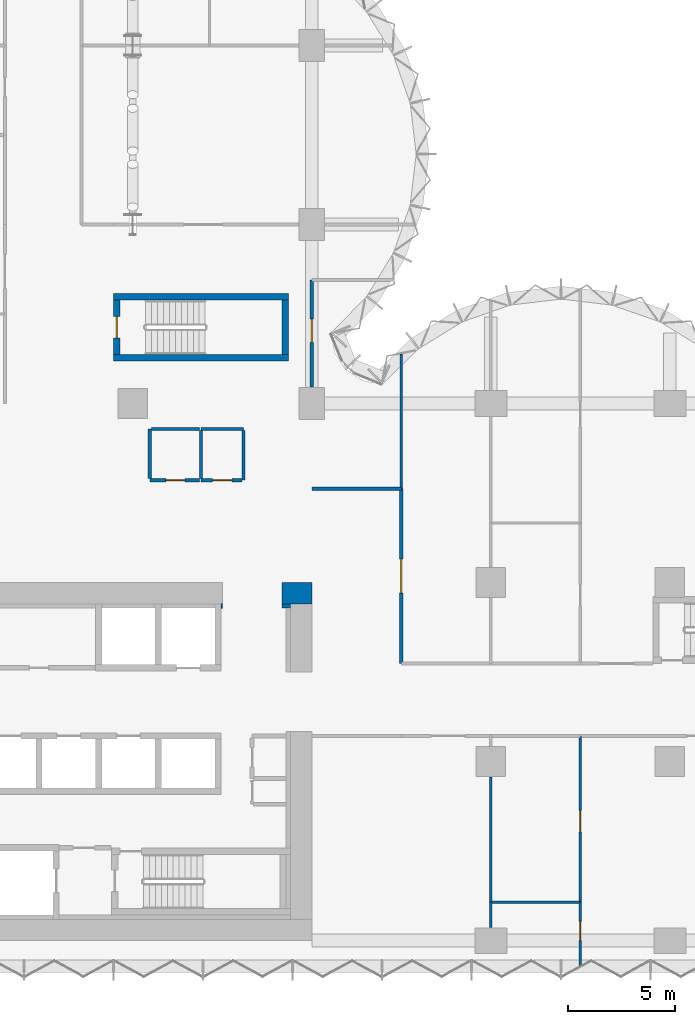
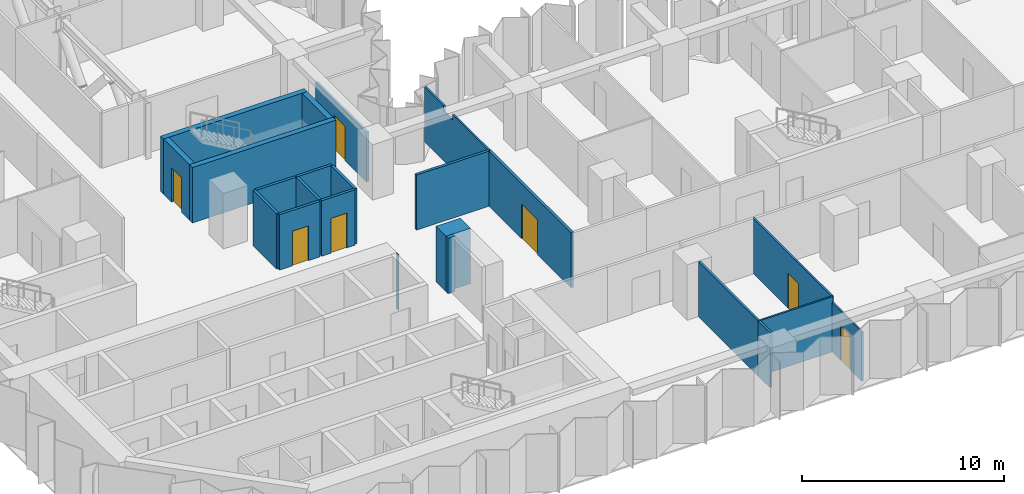
# One storey, part 11 of 18: 23 walls, 7 doors, 7 openings.
"""IFC4 building model written with IfcOpenShell, lengths in metres."""

from ifc_helpers import new_model, si_unit, direction, frame, frame_2d, origin, place, context, subcontext, project, spatial, polyline, rectangle, outline, extrude, material, layer, layer_set, type_object, element, fill, save


model = new_model("IFC4")

# Units and contexts
model_context = context("Model", 3, precision=1e-05, world=origin(), true_north=direction((0.0, 1.0)))
body_context = subcontext(model_context, "Body", "Model", "MODEL_VIEW")
ifc_project = project(units=[si_unit("LENGTHUNIT", "METRE"), si_unit("AREAUNIT", "SQUARE_METRE"), si_unit("VOLUMEUNIT", "CUBIC_METRE"), si_unit("PLANEANGLEUNIT", "RADIAN"), si_unit("MASSUNIT", "GRAM", prefix="KILO")], contexts=[model_context])

# Site, building, storey
site_placement = place(None, origin())
site = spatial("IfcSite", under=ifc_project, at=site_placement, CompositionType="ELEMENT")
building_placement = place(site_placement, origin())
building = spatial("IfcBuilding", under=site, at=building_placement, Name="Brevane Broadcast Tower", CompositionType="ELEMENT")
storey_placement = place(building_placement, frame((0.0, 0.0, 40.10009765625)))
storey = spatial("IfcBuildingStorey", under=building, at=storey_placement, Name="L07", CompositionType="ELEMENT", Elevation=40.10009765625)

# Walls
ifc_material_1 = material(Name="Concrete C32/40", Category="concrete")
ifc_layer_1 = layer(ifc_material_1, 0.199951171875)
ifc_layer_set_1 = layer_set([ifc_layer_1], Name="Core chase wall 200 mm")
wall_type_1 = type_object("IfcWallType", Name="Core chase wall 200 mm", PredefinedType="PARTITIONING", material=ifc_layer_set_1)
wall_1_placement = place(storey_placement, frame((23.800048828125, 15.699951171875, 0.0), z_axis=(0.0, 0.0, 1.0), x_axis=(1.0, 0.0, 0.0)))
element("IfcWall", 1, at=wall_1_placement, inside=storey, type_object=wall_type_1, Name="L07 chase wall LN2", PredefinedType="PARTITIONING", context=body_context, shape_type="SweptSolid", body=[
    extrude(rectangle(XDim=0.39990234375, YDim=0.199951171875, at=frame_2d((0.199951171875, 0.0))), origin(), (0.0, 0.0, 1.0), 3.349853515625),
])
wall_2_placement = place(storey_placement, frame((20.949951171875, 15.699951171875, 0.0), z_axis=(0.0, 0.0, 1.0), x_axis=(1.0, 0.0, 0.0)))
element("IfcWall", 2, at=wall_2_placement, inside=storey, type_object=wall_type_1, Name="L07 chase wall LN1-2-2-2-2", PredefinedType="PARTITIONING", context=body_context, shape_type="SweptSolid", body=[
    extrude(rectangle(XDim=0.050048828125, YDim=0.199951171875, at=frame_2d((0.02490234375, 0.0))), origin(), (0.0, 0.0, 1.0), 3.349853515625),
])
ifc_material_2 = material(Name="Gypsum board on steel studs", Category="steel")
ifc_layer_2 = layer(ifc_material_2, 0.14990234375)
ifc_layer_set_2 = layer_set([ifc_layer_2], Name="Core fire partition 150 mm")
wall_type_2 = type_object("IfcWallType", Name="Core fire partition 150 mm", PredefinedType="PARTITIONING", material=ifc_layer_set_2)
wall_3_placement = place(storey_placement, frame((20.0, 24.0, 0.0), z_axis=(0.0, 0.0, 1.0), x_axis=(1.0, 0.0, 0.0)))
element("IfcWall", 3, at=wall_3_placement, inside=storey, type_object=wall_type_2, Name="L07 partition wall P15", PredefinedType="PARTITIONING", context=body_context, shape_type="SweptSolid", body=[
    extrude(rectangle(XDim=2.0, YDim=0.14990234375, at=frame_2d((1.0, 0.0))), origin(), (0.0, 0.0, 1.0), 3.349853515625),
])
wall_4_placement = place(storey_placement, frame((22.0, 23.925048828125, 0.0), z_axis=(0.0, 0.0, 1.0), x_axis=(0.0, -1.0, 0.0)))
element("IfcWall", 4, at=wall_4_placement, inside=storey, type_object=wall_type_2, Name="L07 partition wall P16", PredefinedType="PARTITIONING", context=body_context, shape_type="SweptSolid", body=[
    extrude(rectangle(XDim=2.324951171875, YDim=0.14990234375, at=frame_2d((1.16259765625, 0.0))), origin(), (0.0, 0.0, 1.0), 3.349853515625),
])

# Wall, opening, door
wall_5_placement = place(storey_placement, frame((21.925048828125, 21.60009765625, 0.0), z_axis=(0.0, 0.0, 1.0), x_axis=(-1.0, 0.0, 0.0)))
wall_5 = element("IfcWall", 5, at=wall_5_placement, inside=storey, type_object=wall_type_2, Name="L07 partition wall P17", PredefinedType="PARTITIONING", context=body_context, shape_type="SweptSolid", body=[
    extrude(rectangle(XDim=1.925048828125, YDim=0.14990234375, at=frame_2d((0.96240234375, 0.0))), origin(), (0.0, 0.0, 1.0), 3.349853515625),
])
opening_1_placement = place(wall_5_placement, frame((0.47509765625, 0.0, 0.0)))
opening_1 = element("IfcOpeningElement", 6, at=opening_1_placement, cuts=wall_5, Name="Opening L07-K24", PredefinedType="OPENING", context=body_context, shape_type="SweptSolid", body=[
    extrude(rectangle(XDim=0.89990234375, YDim=2.10009765625, at=frame_2d((0.449951171875, 1.050048828125))), frame((0.0, 0.0849609375, 0.0), z_axis=(0.0, -1.0, 0.0), x_axis=(1.0, 0.0, 0.0)), (0.0, 0.0, 1.0), 0.169921875),
])
ifc_material_3 = material(Name="Timber", Category="wood")
door_type_1 = type_object("IfcDoorType", Name="Toilet door 900 x 2100", OperationType="SINGLE_SWING_LEFT", PredefinedType="DOOR", material=ifc_material_3)
door_1_placement = place(opening_1_placement, origin())
door_1 = element("IfcDoor", 7, at=door_1_placement, inside=storey, type_object=door_type_1, Name="Door L07-K24", OperationType="SINGLE_SWING_RIGHT", OverallHeight=2.10009765625, OverallWidth=0.89990234375, PredefinedType="DOOR", context=body_context, shape_type="SweptSolid", body=[
    extrude(rectangle(XDim=0.89990234375, YDim=2.10009765625, at=frame_2d((0.449951171875, 1.050048828125))), frame((0.0, 0.02490234375, 0.0), z_axis=(0.0, -1.0, 0.0), x_axis=(1.0, 0.0, 0.0)), (0.0, 0.0, 1.0), 0.050048828125),
])
fill(opening_1, door_1)

# Wall
wall_6_placement = place(storey_placement, frame((20.0, 21.675048828125, 0.0), z_axis=(0.0, 0.0, 1.0), x_axis=(0.0, 1.0, 0.0)))
element("IfcWall", 8, at=wall_6_placement, inside=storey, type_object=wall_type_2, Name="L07 partition wall P18", PredefinedType="PARTITIONING", context=body_context, shape_type="SweptSolid", body=[
    extrude(rectangle(XDim=2.25, YDim=0.14990234375, at=frame_2d((1.125, 0.0))), origin(), (0.0, 0.0, 1.0), 3.349853515625),
])

# Wall, opening, door
wall_7_placement = place(storey_placement, frame((19.925048828125, 21.60009765625, 0.0), z_axis=(0.0, 0.0, 1.0), x_axis=(-1.0, 0.0, 0.0)))
wall_7 = element("IfcWall", 9, at=wall_7_placement, inside=storey, type_object=wall_type_2, Name="L07 partition wall P19", PredefinedType="PARTITIONING", context=body_context, shape_type="SweptSolid", body=[
    extrude(rectangle(XDim=2.324951171875, YDim=0.14990234375, at=frame_2d((1.16259765625, 0.0))), origin(), (0.0, 0.0, 1.0), 3.349853515625),
])
opening_2_placement = place(wall_7_placement, frame((0.675048828125, 0.0, 0.0)))
opening_2 = element("IfcOpeningElement", 10, at=opening_2_placement, cuts=wall_7, Name="Opening L07-K25", PredefinedType="OPENING", context=body_context, shape_type="SweptSolid", body=[
    extrude(rectangle(XDim=0.89990234375, YDim=2.10009765625, at=frame_2d((0.449951171875, 1.050048828125))), frame((0.0, 0.0849609375, 0.0), z_axis=(0.0, -1.0, 0.0), x_axis=(1.0, 0.0, 0.0)), (0.0, 0.0, 1.0), 0.169921875),
])
ifc_material_4 = material(Name="Steel", Category="steel")
door_type_2 = type_object("IfcDoorType", Name="Service room door 900 x 2100", OperationType="SINGLE_SWING_LEFT", PredefinedType="DOOR", material=ifc_material_4)
door_2_placement = place(opening_2_placement, origin())
door_2 = element("IfcDoor", 11, at=door_2_placement, inside=storey, type_object=door_type_2, Name="Door L07-K25", OperationType="SINGLE_SWING_LEFT", OverallHeight=2.10009765625, OverallWidth=0.89990234375, PredefinedType="DOOR", context=body_context, shape_type="SweptSolid", body=[
    extrude(rectangle(XDim=0.89990234375, YDim=2.10009765625, at=frame_2d((0.449951171875, 1.050048828125))), frame((0.0, 0.02490234375, 0.0), z_axis=(0.0, -1.0, 0.0), x_axis=(1.0, 0.0, 0.0)), (0.0, 0.0, 1.0), 0.050048828125),
])
fill(opening_2, door_2)

# Walls
wall_8_placement = place(storey_placement, frame((17.60009765625, 21.675048828125, 0.0), z_axis=(0.0, 0.0, 1.0), x_axis=(0.0, 1.0, 0.0)))
element("IfcWall", 12, at=wall_8_placement, inside=storey, type_object=wall_type_2, Name="L07 partition wall P20", PredefinedType="PARTITIONING", context=body_context, shape_type="SweptSolid", body=[
    extrude(rectangle(XDim=2.324951171875, YDim=0.14990234375, at=frame_2d((1.16259765625, 0.0))), origin(), (0.0, 0.0, 1.0), 3.349853515625),
])
wall_9_placement = place(storey_placement, frame((17.675048828125, 24.0, 0.0), z_axis=(0.0, 0.0, 1.0), x_axis=(1.0, 0.0, 0.0)))
element("IfcWall", 13, at=wall_9_placement, inside=storey, type_object=wall_type_2, Name="L07 partition wall P21", PredefinedType="PARTITIONING", context=body_context, shape_type="SweptSolid", body=[
    extrude(rectangle(XDim=2.25, YDim=0.14990234375, at=frame_2d((1.125, 0.0))), origin(), (0.0, 0.0, 1.0), 3.349853515625),
])
ifc_material_5 = material(Name="Concrete C80/95", Category="concrete")
ifc_layer_3 = layer(ifc_material_5, 1.0)
ifc_layer_set_3 = layer_set([ifc_layer_3], Name="Core wall 1000 mm C80/95")
wall_type_3 = type_object("IfcWallType", Name="Core wall 1000 mm C80/95", PredefinedType="SHEAR", material=ifc_layer_set_3)
wall_10_placement = place(storey_placement, frame((23.800048828125, 16.300048828125, 0.0), z_axis=(0.0, 0.0, 1.0), x_axis=(1.0, 0.0, 0.0)))
element("IfcWall", 14, at=wall_10_placement, inside=storey, type_object=wall_type_3, Name="L07 outer wall WN2", PredefinedType="SHEAR", context=body_context, shape_type="SweptSolid", body=[
    extrude(rectangle(XDim=1.39990234375, YDim=1.0, at=frame_2d((0.699951171875, 0.0))), origin(), (0.0, 0.0, 1.0), 3.349853515625),
])
ifc_layer_4 = layer(ifc_material_5, 0.300048828125)
ifc_layer_set_4 = layer_set([ifc_layer_4], Name="Core wall 300 mm C80/95")
wall_type_4 = type_object("IfcWallType", Name="Core wall 300 mm C80/95", PredefinedType="SHEAR", material=ifc_layer_set_4)
for number, where, z_axis, x_axis, name in (
    (15, (15.89990234375, 27.35009765625, 0.0), (0.0, 0.0, 1.0), (1.0, 0.0, 0.0), "L07 stair wall ST-3-S"),
    (16, (15.89990234375, 30.199951171875, 0.0), (0.0, 0.0, 1.0), (1.0, 0.0, 0.0), "L07 stair wall ST-3-N"),
):
    element("IfcWall", number, at=place(storey_placement, frame(where, z_axis=z_axis, x_axis=x_axis)), inside=storey, type_object=wall_type_4, Name=name, PredefinedType="SHEAR", context=body_context, shape_type="SweptSolid", body=[
        extrude(rectangle(XDim=8.2001953125, YDim=0.300048828125, at=frame_2d((4.10009765625, 0.0))), origin(), (0.0, 0.0, 1.0), 3.349853515625),
    ])

# Wall, opening, door
wall_11_placement = place(storey_placement, frame((16.050048828125, 27.5, 0.0), z_axis=(0.0, 0.0, 1.0), x_axis=(0.0, 1.0, 0.0)))
wall_11 = element("IfcWall", 17, at=wall_11_placement, inside=storey, type_object=wall_type_4, Name="L07 stair wall ST-3-W", PredefinedType="SHEAR", context=body_context, shape_type="SweptSolid", body=[
    extrude(rectangle(XDim=2.550048828125, YDim=0.300048828125, at=frame_2d((1.27490234375, 0.0))), origin(), (0.0, 0.0, 1.0), 3.349853515625),
])
opening_3_placement = place(wall_11_placement, frame((0.77490234375, 0.0, 0.0)))
opening_3 = element("IfcOpeningElement", 18, at=opening_3_placement, cuts=wall_11, Name="Opening L07-K14", PredefinedType="OPENING", context=body_context, shape_type="SweptSolid", body=[
    extrude(rectangle(XDim=1.0, YDim=2.10009765625, at=frame_2d((0.5, 1.050048828125))), frame((0.0, 0.159912109375, 0.0), z_axis=(0.0, -1.0, 0.0), x_axis=(1.0, 0.0, 0.0)), (0.0, 0.0, 1.0), 0.320068359375),
])
door_type_3 = type_object("IfcDoorType", Name="Stair door 1000 x 2100", OperationType="SINGLE_SWING_LEFT", PredefinedType="DOOR", material=ifc_material_4)
door_3_placement = place(opening_3_placement, origin())
door_3 = element("IfcDoor", 19, at=door_3_placement, inside=storey, type_object=door_type_3, Name="Door L07-K14", OperationType="SINGLE_SWING_RIGHT", OverallHeight=2.10009765625, OverallWidth=1.0, PredefinedType="DOOR", context=body_context, shape_type="SweptSolid", body=[
    extrude(rectangle(XDim=1.0, YDim=2.10009765625, at=frame_2d((0.5, 1.050048828125))), frame((0.0, 0.02490234375, 0.0), z_axis=(0.0, -1.0, 0.0), x_axis=(1.0, 0.0, 0.0)), (0.0, 0.0, 1.0), 0.050048828125),
])
fill(opening_3, door_3)

# Walls
wall_12_placement = place(storey_placement, frame((23.949951171875, 27.5, 0.0), z_axis=(0.0, 0.0, 1.0), x_axis=(0.0, 1.0, 0.0)))
element("IfcWall", 20, at=wall_12_placement, inside=storey, type_object=wall_type_4, Name="L07 stair wall ST-3-E", PredefinedType="SHEAR", context=body_context, shape_type="SweptSolid", body=[
    extrude(rectangle(XDim=2.550048828125, YDim=0.300048828125, at=frame_2d((1.27490234375, 0.0))), origin(), (0.0, 0.0, 1.0), 3.349853515625),
])
ifc_material_6 = material(Name="Gypsum board partition")
ifc_layer_5 = layer(ifc_material_6, 0.10009765625)
ifc_layer_set_5 = layer_set([ifc_layer_5], Name="PARTITION 100 STUD")
wall_type_5 = type_object("IfcWallType", Name="PARTITION 100 STUD", PredefinedType="PARTITIONING", material=ifc_layer_set_5)
wall_13_placement = place(storey_placement, frame((29.39990234375, 27.510986328125, 0.0), z_axis=(0.0, 0.0, 1.0), x_axis=(0.0, -1.0, 0.0)))
element("IfcWall", 21, at=wall_13_placement, inside=storey, type_object=wall_type_5, Name="Partition G01-004", PredefinedType="PARTITIONING", context=body_context, shape_type="SweptSolid", body=[
    extrude(outline(polyline([(0.0, 0.0), (6.31103515625, 0.0), (6.31103515625, 3.329833984375), (2.760986328125, 3.329833984375), (2.759033203125, 2.97998046875), (1.863037109375, 2.97998046875), (1.861083984375, 3.329833984375), (0.236083984375, 3.329833984375), (0.0, 3.329833984375), (0.0, 0.0)])), frame((0.0, 0.050048828125, 0.0), z_axis=(0.0, -1.0, 0.0), x_axis=(1.0, 0.0, 0.0)), (0.0, 0.0, 1.0), 0.10009765625),
])

# Wall, opening, door
wall_14_placement = place(storey_placement, frame((37.800048828125, -1.174072265625, 0.0), z_axis=(0.0, 0.0, 1.0), x_axis=(0.0, 1.0, 0.0)))
wall_14 = element("IfcWall", 22, at=wall_14_placement, inside=storey, type_object=wall_type_5, Name="Partition G01-027", PredefinedType="PARTITIONING", context=body_context, shape_type="SweptSolid", body=[
    extrude(rectangle(XDim=2.97412109375, YDim=0.10009765625, at=frame_2d((1.487060546875, 0.0))), origin(), (0.0, 0.0, 1.0), 2.97998046875),
])
opening_4_placement = place(wall_14_placement, frame((1.174072265625, 0.0, 0.0)))
opening_4 = element("IfcOpeningElement", 23, at=opening_4_placement, cuts=wall_14, Name="Opening D07-007", PredefinedType="OPENING", context=body_context, shape_type="SweptSolid", body=[
    extrude(rectangle(XDim=0.89990234375, YDim=2.10009765625, at=frame_2d((0.449951171875, 1.050048828125))), frame((0.0, 0.06005859375, 0.0), z_axis=(0.0, -1.0, 0.0), x_axis=(1.0, 0.0, 0.0)), (0.0, 0.0, 1.0), 0.1201171875),
])
ifc_material_7 = material(Name="Timber door leaf", Category="wood")
door_type_4 = type_object("IfcDoorType", Name="DOOR SINGLE 900 INTERNAL", OperationType="SINGLE_SWING_LEFT", PredefinedType="DOOR", material=ifc_material_7)
door_4_placement = place(opening_4_placement, origin())
door_4 = element("IfcDoor", 24, at=door_4_placement, inside=storey, type_object=door_type_4, Name="Door D07-007", OperationType="SINGLE_SWING_LEFT", OverallHeight=2.10009765625, OverallWidth=0.89990234375, PredefinedType="DOOR", context=body_context, shape_type="SweptSolid", body=[
    extrude(rectangle(XDim=0.89990234375, YDim=2.10009765625, at=frame_2d((0.449951171875, 1.050048828125))), frame((0.0, 0.02490234375, 0.0), z_axis=(0.0, -1.0, 0.0), x_axis=(1.0, 0.0, 0.0)), (0.0, 0.0, 1.0), 0.050048828125),
])
fill(opening_4, door_4)

wall_15_placement = place(storey_placement, frame((37.800048828125, 1.800048828125, 0.0), z_axis=(0.0, 0.0, 1.0), x_axis=(0.0, 1.0, 0.0)))
wall_15 = element("IfcWall", 25, at=wall_15_placement, inside=storey, type_object=wall_type_5, Name="Partition G01-028", PredefinedType="PARTITIONING", context=body_context, shape_type="SweptSolid", body=[
    extrude(rectangle(XDim=7.800048828125, YDim=0.10009765625, at=frame_2d((3.89990234375, 0.0))), origin(), (0.0, 0.0, 1.0), 3.329833984375),
])
opening_5_placement = place(wall_15_placement, frame((3.300048828125, 0.0, 0.0)))
opening_5 = element("IfcOpeningElement", 26, at=opening_5_placement, cuts=wall_15, Name="Opening D07-008", PredefinedType="OPENING", context=body_context, shape_type="SweptSolid", body=[
    extrude(rectangle(XDim=1.0, YDim=2.10009765625, at=frame_2d((0.5, 1.050048828125))), frame((0.0, 0.06005859375, 0.0), z_axis=(0.0, -1.0, 0.0), x_axis=(1.0, 0.0, 0.0)), (0.0, 0.0, 1.0), 0.1201171875),
])
door_type_5 = type_object("IfcDoorType", Name="DOOR SINGLE 1000 INTERNAL", OperationType="SINGLE_SWING_LEFT", PredefinedType="DOOR", material=ifc_material_7)
door_5_placement = place(opening_5_placement, origin())
door_5 = element("IfcDoor", 27, at=door_5_placement, inside=storey, type_object=door_type_5, Name="Door D07-008", OperationType="SINGLE_SWING_LEFT", OverallHeight=2.10009765625, OverallWidth=1.0, PredefinedType="DOOR", context=body_context, shape_type="SweptSolid", body=[
    extrude(rectangle(XDim=1.0, YDim=2.10009765625, at=frame_2d((0.5, 1.050048828125))), frame((0.0, 0.02490234375, 0.0), z_axis=(0.0, -1.0, 0.0), x_axis=(1.0, 0.0, 0.0)), (0.0, 0.0, 1.0), 0.050048828125),
])
fill(opening_5, door_5)

# Walls
wall_16_placement = place(storey_placement, frame((33.60009765625, 1.800048828125, 0.0), z_axis=(0.0, 0.0, 1.0), x_axis=(1.0, 0.0, 0.0)))
element("IfcWall", 28, at=wall_16_placement, inside=storey, type_object=wall_type_5, Name="Partition G01-033", PredefinedType="PARTITIONING", context=body_context, shape_type="SweptSolid", body=[
    extrude(rectangle(XDim=4.199951171875, YDim=0.10009765625, at=frame_2d((2.10009765625, 0.0))), origin(), (0.0, 0.0, 1.0), 3.329833984375),
])
ifc_layer_6 = layer(ifc_material_6, 0.125)
ifc_layer_set_6 = layer_set([ifc_layer_6], Name="PARTITION 125 ACOUSTIC")
wall_type_6 = type_object("IfcWallType", Name="PARTITION 125 ACOUSTIC", PredefinedType="PARTITIONING", material=ifc_layer_set_6)
wall_17_placement = place(storey_placement, frame((33.60009765625, 1.800048828125, 0.0), z_axis=(0.0, 0.0, 1.0), x_axis=(0.0, -1.0, 0.0)))
element("IfcWall", 29, at=wall_17_placement, inside=storey, type_object=wall_type_6, Name="Partition G01-022", PredefinedType="PARTITIONING", context=body_context, shape_type="SweptSolid", body=[
    extrude(rectangle(XDim=1.179931640625, YDim=0.125, at=frame_2d((0.58984375, 0.0))), origin(), (0.0, 0.0, 1.0), 3.329833984375),
])
wall_18_placement = place(storey_placement, frame((33.60009765625, 7.679931640625, 0.0), z_axis=(0.0, 0.0, 1.0), x_axis=(0.0, -1.0, 0.0)))
element("IfcWall", 30, at=wall_18_placement, inside=storey, type_object=wall_type_6, Name="Partition G01-024", PredefinedType="PARTITIONING", context=body_context, shape_type="SweptSolid", body=[
    extrude(rectangle(XDim=5.8798828125, YDim=0.125, at=frame_2d((2.93994140625, 0.0))), origin(), (0.0, 0.0, 1.0), 3.329833984375),
])
ifc_layer_7 = layer(ifc_material_6, 0.14990234375)
ifc_layer_set_7 = layer_set([ifc_layer_7], Name="PARTITION 150 EI 60")
wall_type_7 = type_object("IfcWallType", Name="PARTITION 150 EI 60", PredefinedType="PARTITIONING", material=ifc_layer_set_7)
wall_19_placement = place(storey_placement, frame((25.199951171875, 21.199951171875, 0.0), z_axis=(0.0, 0.0, 1.0), x_axis=(1.0, 0.0, 0.0)))
element("IfcWall", 31, at=wall_19_placement, inside=storey, type_object=wall_type_7, Name="Partition G01-001", PredefinedType="PARTITIONING", context=body_context, shape_type="SweptSolid", body=[
    extrude(rectangle(XDim=4.199951171875, YDim=0.14990234375, at=frame_2d((2.10009765625, 0.0))), origin(), (0.0, 0.0, 1.0), 3.329833984375),
])

# Wall, opening, door
wall_20_placement = place(storey_placement, frame((29.39990234375, 21.199951171875, 0.0), z_axis=(0.0, 0.0, 1.0), x_axis=(0.0, -1.0, 0.0)))
wall_20 = element("IfcWall", 32, at=wall_20_placement, inside=storey, type_object=wall_type_7, Name="Partition G01-003", PredefinedType="PARTITIONING", context=body_context, shape_type="SweptSolid", body=[
    extrude(rectangle(XDim=8.199951171875, YDim=0.14990234375, at=frame_2d((4.10009765625, 0.0))), origin(), (0.0, 0.0, 1.0), 3.329833984375),
])
opening_6_placement = place(wall_20_placement, frame((3.300048828125, 0.0, 0.0)))
opening_6 = element("IfcOpeningElement", 33, at=opening_6_placement, cuts=wall_20, Name="Opening D07-011", PredefinedType="OPENING", context=body_context, shape_type="SweptSolid", body=[
    extrude(rectangle(XDim=1.60009765625, YDim=2.10009765625, at=frame_2d((0.800048828125, 1.050048828125))), frame((0.0, 0.0849609375, 0.0), z_axis=(0.0, -1.0, 0.0), x_axis=(1.0, 0.0, 0.0)), (0.0, 0.0, 1.0), 0.169921875),
])
ifc_material_8 = material(Name="Fire-rated timber door leaf", Category="wood")
door_type_6 = type_object("IfcDoorType", Name="DOOR DOUBLE 1600 FD30S", OperationType="DOUBLE_DOOR_SINGLE_SWING", PredefinedType="DOOR", material=ifc_material_8)
door_6_placement = place(opening_6_placement, origin())
door_6 = element("IfcDoor", 34, at=door_6_placement, inside=storey, type_object=door_type_6, Name="Door D07-011", OperationType="DOUBLE_DOOR_SINGLE_SWING", OverallHeight=2.10009765625, OverallWidth=1.60009765625, PredefinedType="DOOR", context=body_context, shape_type="SweptSolid", body=[
    extrude(rectangle(XDim=1.60009765625, YDim=2.10009765625, at=frame_2d((0.800048828125, 1.050048828125))), frame((0.0, 0.02490234375, 0.0), z_axis=(0.0, -1.0, 0.0), x_axis=(1.0, 0.0, 0.0)), (0.0, 0.0, 1.0), 0.050048828125),
])
fill(opening_6, door_6)

wall_21_placement = place(storey_placement, frame((25.199951171875, 31.0, 0.0), z_axis=(0.0, 0.0, 1.0), x_axis=(0.0, -1.0, 0.0)))
wall_21 = element("IfcWall", 35, at=wall_21_placement, inside=storey, type_object=wall_type_7, Name="Partition G01-005", PredefinedType="PARTITIONING", context=body_context, shape_type="SweptSolid", body=[
    extrude(outline(polyline([(0.0, 0.0), (5.030029296875, 0.0), (5.030029296875, 2.97998046875), (0.0, 2.97998046875), (0.0, 0.0)])), frame((0.0, 0.074951171875, 0.0), z_axis=(0.0, -1.0, 0.0), x_axis=(1.0, 0.0, 0.0)), (0.0, 0.0, 1.0), 0.14990234375),
])
opening_7_placement = place(wall_21_placement, frame((1.830078125, 0.0, 0.0)))
opening_7 = element("IfcOpeningElement", 36, at=opening_7_placement, cuts=wall_21, Name="Opening D07-001", PredefinedType="OPENING", context=body_context, shape_type="SweptSolid", body=[
    extrude(rectangle(XDim=1.10009765625, YDim=2.10009765625, at=frame_2d((0.550048828125, 1.050048828125))), frame((0.0, 0.0849609375, 0.0), z_axis=(0.0, -1.0, 0.0), x_axis=(1.0, 0.0, 0.0)), (0.0, 0.0, 1.0), 0.169921875),
])
door_type_7 = type_object("IfcDoorType", Name="DOOR SINGLE 1100 FD30S", OperationType="SINGLE_SWING_LEFT", PredefinedType="DOOR", material=ifc_material_8)
door_7_placement = place(opening_7_placement, origin())
door_7 = element("IfcDoor", 37, at=door_7_placement, inside=storey, type_object=door_type_7, Name="Door D07-001", OperationType="SINGLE_SWING_RIGHT", OverallHeight=2.10009765625, OverallWidth=1.10009765625, PredefinedType="DOOR", context=body_context, shape_type="SweptSolid", body=[
    extrude(rectangle(XDim=1.10009765625, YDim=2.10009765625, at=frame_2d((0.550048828125, 1.050048828125))), frame((0.0, 0.02490234375, 0.0), z_axis=(0.0, -1.0, 0.0), x_axis=(1.0, 0.0, 0.0)), (0.0, 0.0, 1.0), 0.050048828125),
])
fill(opening_7, door_7)

save(model, "model.ifc")
